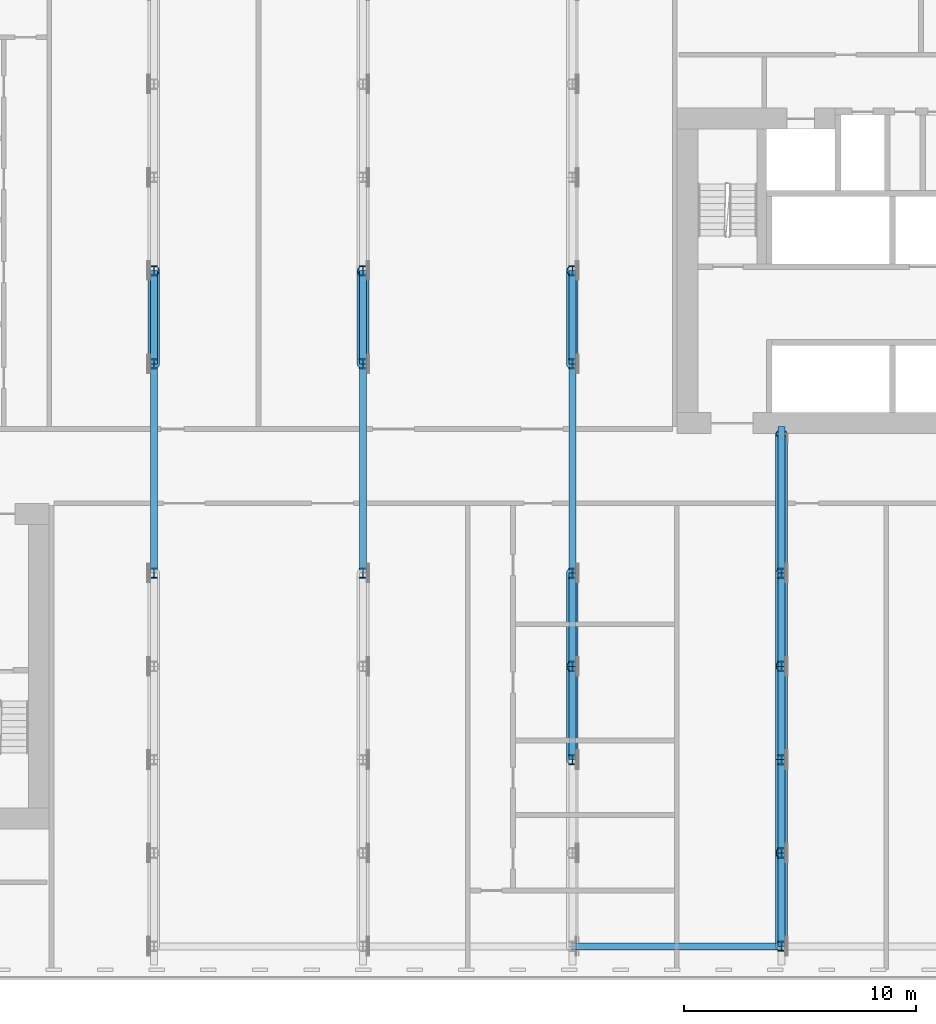
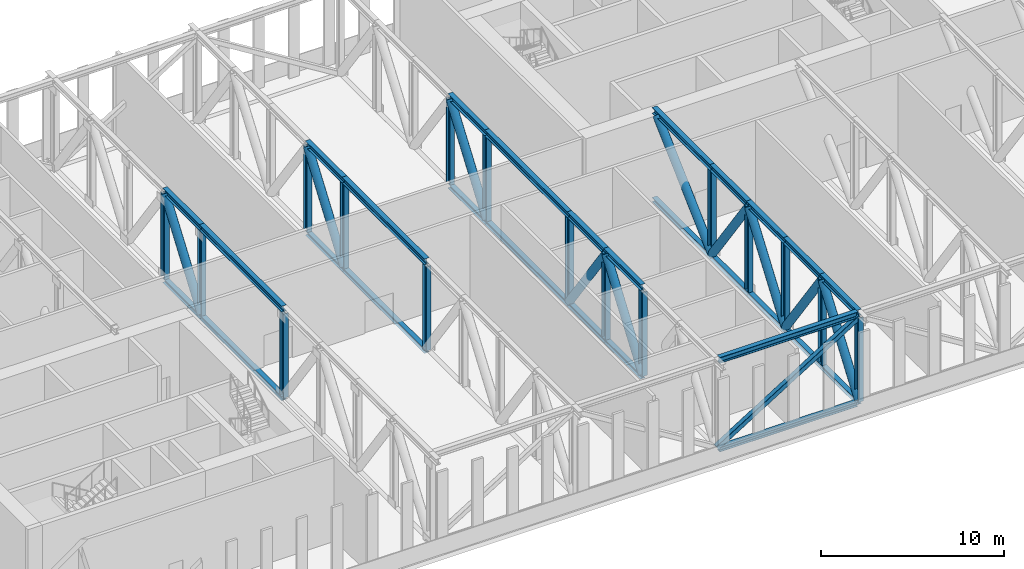
# One storey, part 2 of 26: 55 members.
"""IFC4 building model written with IfcOpenShell, lengths in metres."""

from ifc_helpers import new_model, si_unit, direction, frame, origin, origin_2d, place, context, subcontext, project, spatial, hollow_rectangle, hollow_circle, i_section, extrude, material, material_profile, profile_set, type_object, element, save


model = new_model("IFC4")

# Units and contexts
model_context = context("Model", 3, precision=1e-05, world=origin(), true_north=direction((0.0, 1.0)))
body_context = subcontext(model_context, "Body", "Model", "MODEL_VIEW")
ifc_project = project(units=[si_unit("LENGTHUNIT", "METRE"), si_unit("AREAUNIT", "SQUARE_METRE"), si_unit("VOLUMEUNIT", "CUBIC_METRE"), si_unit("PLANEANGLEUNIT", "RADIAN"), si_unit("MASSUNIT", "GRAM", prefix="KILO")], contexts=[model_context])

# Site, building, storey
site_placement = place(None, origin())
site = spatial("IfcSite", under=ifc_project, at=site_placement, CompositionType="ELEMENT")
building_placement = place(site_placement, origin())
building = spatial("IfcBuilding", under=site, at=building_placement, Name="Kajstack Hotel Tower", CompositionType="ELEMENT")
storey_placement = place(building_placement, frame((0.0, 0.0, 47.0)))
storey = spatial("IfcBuildingStorey", under=building, at=storey_placement, Name="L07", CompositionType="ELEMENT", Elevation=47.0)

# Members
ifc_material = material(Name="Steel S355J2", Category="steel")
ifc_material_profile_1 = material_profile(ifc_material, i_section(OverallWidth=0.300048828125, OverallDepth=0.300048828125, WebThickness=0.010986328125, FlangeThickness=0.01904296875, FilletRadius=0.027099609375, at=origin_2d()), Name="HEB 300")
ifc_profile_set_1 = profile_set([ifc_material_profile_1], Name="Steel S355J2")
member_type_1 = type_object("IfcMemberType", Name="Belt truss bottom chord BB1 HEB 300", PredefinedType="CHORD", material=ifc_profile_set_1)
member_1_placement = place(storey_placement, frame((9.14990234375, -20.550048828125, -0.14990234375), z_axis=(1.0, 0.0, 0.0), x_axis=(0.0, 1.0, 0.0)))
element("IfcMember", 1, at=member_1_placement, inside=storey, type_object=member_type_1, Name="S-belt-truss-L07-s07-b", PredefinedType="CHORD", context=body_context, shape_type="SweptSolid", body=[
    extrude(i_section(OverallWidth=0.300048828125, OverallDepth=0.300048828125, WebThickness=0.010986328125, FlangeThickness=0.01904296875, FilletRadius=0.027099609375, at=origin_2d()), origin(), (0.0, 0.0, 1.0), 8.7001953125),
])
ifc_material_profile_2 = material_profile(ifc_material, hollow_rectangle(XDim=0.300048828125, YDim=0.300048828125, WallThickness=0.01611328125, InnerFilletRadius=0.01611328125, OuterFilletRadius=0.02392578125, at=origin_2d()), Name="SHS 300x300x16")
ifc_profile_set_2 = profile_set([ifc_material_profile_2], Name="Steel S355J2")
member_type_2 = type_object("IfcMemberType", Name="Belt truss diagonal BD1 SHS 300x300x16", PredefinedType="BRACE", material=ifc_profile_set_2)
member_2_placement = place(storey_placement, frame((9.0, -20.550048828125, 0.0), z_axis=(0.849052471267, 0.0, 0.528308528264), x_axis=(0.0, 1.0, 0.0)))
element("IfcMember", 2, at=member_2_placement, inside=storey, type_object=member_type_2, Name="S-belt-truss-L07-s07-d", PredefinedType="BRACE", context=body_context, shape_type="SweptSolid", body=[
    extrude(hollow_rectangle(XDim=0.300048828125, YDim=0.300048828125, WallThickness=0.01611328125, InnerFilletRadius=0.01611328125, OuterFilletRadius=0.02392578125, at=origin_2d()), origin(), (0.0, 0.0, 1.0), 10.60009765625),
])
ifc_material_profile_3 = material_profile(ifc_material, i_section(OverallWidth=0.300048828125, OverallDepth=0.39990234375, WebThickness=0.013427734375, FlangeThickness=0.02392578125, FilletRadius=0.027099609375, at=origin_2d()), Name="HEB 400")
ifc_profile_set_3 = profile_set([ifc_material_profile_3], Name="Steel S355J2")
member_type_3 = type_object("IfcMemberType", Name="Belt truss top chord BT1 HEB 400", PredefinedType="CHORD", material=ifc_profile_set_3)
member_3_placement = place(storey_placement, frame((9.14990234375, -20.550048828125, 5.800048828125), z_axis=(1.0, 0.0, 0.0), x_axis=(0.0, 1.0, 0.0)))
element("IfcMember", 3, at=member_3_placement, inside=storey, type_object=member_type_3, Name="S-belt-truss-L07-s07-t", PredefinedType="CHORD", context=body_context, shape_type="SweptSolid", body=[
    extrude(i_section(OverallWidth=0.300048828125, OverallDepth=0.39990234375, WebThickness=0.013427734375, FlangeThickness=0.02392578125, FilletRadius=0.027099609375, at=origin_2d()), origin(), (0.0, 0.0, 1.0), 8.7001953125),
])
ifc_material_profile_4 = material_profile(ifc_material, i_section(OverallWidth=0.300048828125, OverallDepth=0.300048828125, WebThickness=0.010986328125, FlangeThickness=0.01904296875, FilletRadius=0.027099609375, at=origin_2d()), Name="HEB 300")
ifc_profile_set_4 = profile_set([ifc_material_profile_4], Name="Steel S355J2")
member_type_4 = type_object("IfcMemberType", Name="Transfer truss bottom chord BC1 HEB 300", PredefinedType="CHORD", material=ifc_profile_set_4)
member_4_placement = place(storey_placement, frame((-9.0, -4.5, -0.14990234375), z_axis=(0.0, 1.0, 0.0), x_axis=(-1.0, 0.0, 0.0)))
element("IfcMember", 4, at=member_4_placement, inside=storey, type_object=member_type_4, Name="S-transfer-truss-L07--9p0-1-bc16", PredefinedType="CHORD", context=body_context, shape_type="SweptSolid", body=[
    extrude(i_section(OverallWidth=0.300048828125, OverallDepth=0.300048828125, WebThickness=0.010986328125, FlangeThickness=0.01904296875, FilletRadius=0.027099609375, at=origin_2d()), origin(), (0.0, 0.0, 1.0), 9.0),
])
member_5_placement = place(storey_placement, frame((-9.0, 4.5, -0.14990234375), z_axis=(0.0, 1.0, 0.0), x_axis=(-1.0, 0.0, 0.0)))
element("IfcMember", 5, at=member_5_placement, inside=storey, type_object=member_type_4, Name="S-transfer-truss-L07--9p0-1-bc17", PredefinedType="CHORD", context=body_context, shape_type="SweptSolid", body=[
    extrude(i_section(OverallWidth=0.300048828125, OverallDepth=0.300048828125, WebThickness=0.010986328125, FlangeThickness=0.01904296875, FilletRadius=0.027099609375, at=origin_2d()), origin(), (0.0, 0.0, 1.0), 4.012451171875),
])
member_6_placement = place(storey_placement, frame((0.0, -4.5, -0.14990234375), z_axis=(0.0, 1.0, 0.0), x_axis=(-1.0, 0.0, 0.0)))
element("IfcMember", 6, at=member_6_placement, inside=storey, type_object=member_type_4, Name="S-transfer-truss-L07-+0p0-1-bc16", PredefinedType="CHORD", context=body_context, shape_type="SweptSolid", body=[
    extrude(i_section(OverallWidth=0.300048828125, OverallDepth=0.300048828125, WebThickness=0.010986328125, FlangeThickness=0.01904296875, FilletRadius=0.027099609375, at=origin_2d()), origin(), (0.0, 0.0, 1.0), 9.0),
])
for number, where, z_axis, x_axis, name in (
    (7, (0.0, 4.5, -0.14990234375), (0.0, 1.0, 0.0), (-1.0, 0.0, 0.0), "S-transfer-truss-L07-+0p0-1-bc17"),
    (8, (9.0, -12.52490234375, -0.14990234375), (0.0, 1.0, 0.0), (-1.0, 0.0, 0.0), "S-transfer-truss-L07-+9p0-1-bc14"),
    (9, (9.0, -8.512451171875, -0.14990234375), (0.0, 1.0, 0.0), (-1.0, 0.0, 0.0), "S-transfer-truss-L07-+9p0-1-bc15"),
):
    element("IfcMember", number, at=place(storey_placement, frame(where, z_axis=z_axis, x_axis=x_axis)), inside=storey, type_object=member_type_4, Name=name, PredefinedType="CHORD", context=body_context, shape_type="SweptSolid", body=[
        extrude(i_section(OverallWidth=0.300048828125, OverallDepth=0.300048828125, WebThickness=0.010986328125, FlangeThickness=0.01904296875, FilletRadius=0.027099609375, at=origin_2d()), origin(), (0.0, 0.0, 1.0), 4.012451171875),
    ])
member_7_placement = place(storey_placement, frame((9.0, -4.5, -0.14990234375), z_axis=(0.0, 1.0, 0.0), x_axis=(-1.0, 0.0, 0.0)))
element("IfcMember", 10, at=member_7_placement, inside=storey, type_object=member_type_4, Name="S-transfer-truss-L07-+9p0-1-bc16", PredefinedType="CHORD", context=body_context, shape_type="SweptSolid", body=[
    extrude(i_section(OverallWidth=0.300048828125, OverallDepth=0.300048828125, WebThickness=0.010986328125, FlangeThickness=0.01904296875, FilletRadius=0.027099609375, at=origin_2d()), origin(), (0.0, 0.0, 1.0), 9.0),
])
for number, where, z_axis, x_axis, name in (
    (11, (9.0, 4.5, -0.14990234375), (0.0, 1.0, 0.0), (-1.0, 0.0, 0.0), "S-transfer-truss-L07-+9p0-1-bc17"),
    (12, (18.0, -20.550048828125, -0.14990234375), (0.0, 1.0, 0.0), (-1.0, 0.0, 0.0), "S-outrigger-truss-L07-+18p0-1-bc7"),
):
    element("IfcMember", number, at=place(storey_placement, frame(where, z_axis=z_axis, x_axis=x_axis)), inside=storey, type_object=member_type_4, Name=name, PredefinedType="CHORD", context=body_context, shape_type="SweptSolid", body=[
        extrude(i_section(OverallWidth=0.300048828125, OverallDepth=0.300048828125, WebThickness=0.010986328125, FlangeThickness=0.01904296875, FilletRadius=0.027099609375, at=origin_2d()), origin(), (0.0, 0.0, 1.0), 4.012451171875),
    ])
member_8_placement = place(storey_placement, frame((18.0, -16.53759765625, -0.14990234375), z_axis=(0.0, 1.0, 0.0), x_axis=(-1.0, 0.0, 0.0)))
element("IfcMember", 13, at=member_8_placement, inside=storey, type_object=member_type_4, Name="S-outrigger-truss-L07-+18p0-1-bc8", PredefinedType="CHORD", context=body_context, shape_type="SweptSolid", body=[
    extrude(i_section(OverallWidth=0.300048828125, OverallDepth=0.300048828125, WebThickness=0.010986328125, FlangeThickness=0.01904296875, FilletRadius=0.027099609375, at=origin_2d()), origin(), (0.0, 0.0, 1.0), 4.0126953125),
])
for number, where, z_axis, x_axis, name in (
    (14, (18.0, -12.52490234375, -0.14990234375), (0.0, 1.0, 0.0), (-1.0, 0.0, 0.0), "S-outrigger-truss-L07-+18p0-1-bc9"),
    (15, (18.0, -8.512451171875, -0.14990234375), (0.0, 1.0, 0.0), (-1.0, 0.0, 0.0), "S-outrigger-truss-L07-+18p0-1-bc10"),
):
    element("IfcMember", number, at=place(storey_placement, frame(where, z_axis=z_axis, x_axis=x_axis)), inside=storey, type_object=member_type_4, Name=name, PredefinedType="CHORD", context=body_context, shape_type="SweptSolid", body=[
        extrude(i_section(OverallWidth=0.300048828125, OverallDepth=0.300048828125, WebThickness=0.010986328125, FlangeThickness=0.01904296875, FilletRadius=0.027099609375, at=origin_2d()), origin(), (0.0, 0.0, 1.0), 4.012451171875),
    ])
member_9_placement = place(storey_placement, frame((18.0, -4.5, -0.14990234375), z_axis=(0.0, 1.0, 0.0), x_axis=(-1.0, 0.0, 0.0)))
element("IfcMember", 16, at=member_9_placement, inside=storey, type_object=member_type_4, Name="S-outrigger-truss-L07-+18p0-1-bc11", PredefinedType="CHORD", context=body_context, shape_type="SweptSolid", body=[
    extrude(i_section(OverallWidth=0.300048828125, OverallDepth=0.300048828125, WebThickness=0.010986328125, FlangeThickness=0.01904296875, FilletRadius=0.027099609375, at=origin_2d()), origin(), (0.0, 0.0, 1.0), 6.300048828125),
])
ifc_material_profile_5 = material_profile(ifc_material, hollow_circle(Radius=0.25390625, WallThickness=0.02490234375, at=origin_2d()), Name="CHS 508x25")
ifc_profile_set_5 = profile_set([ifc_material_profile_5], Name="Steel S355J2")
member_type_5 = type_object("IfcMemberType", Name="Transfer truss diagonal DG1 CHS 508x25", PredefinedType="BRACE", material=ifc_profile_set_5)
for number, where, z_axis, x_axis, name in (
    (17, (-9.0, 4.5, 0.0), (0.0, 0.582427626866, 0.812882561914), (-1.0, 0.0, 0.0), "S-transfer-truss-L07--9p0-1-dg35"),
    (18, (0.0, 4.5, 0.0), (0.0, 0.582427626866, 0.812882561914), (-1.0, 0.0, 0.0), "S-transfer-truss-L07-+0p0-1-dg35"),
    (19, (9.0, -12.52490234375, 0.0), (0.0, 0.582427626866, 0.812882561914), (-1.0, 0.0, 0.0), "S-transfer-truss-L07-+9p0-1-dg33"),
    (20, (9.0, -4.5, 0.0), (0.0, -0.582427626866, 0.812882561914), (1.0, 0.0, 0.0), "S-transfer-truss-L07-+9p0-1-dg34"),
    (21, (9.0, 4.5, 0.0), (0.0, 0.582427626866, 0.812882561914), (-1.0, 0.0, 0.0), "S-transfer-truss-L07-+9p0-1-dg35"),
    (22, (18.0, -20.550048828125, 0.0), (0.0, 0.582427626866, 0.812882561914), (-1.0, 0.0, 0.0), "S-outrigger-truss-L07-+18p0-1-dg17"),
):
    element("IfcMember", number, at=place(storey_placement, frame(where, z_axis=z_axis, x_axis=x_axis)), inside=storey, type_object=member_type_5, Name=name, PredefinedType="BRACE", context=body_context, shape_type="SweptSolid", body=[
        extrude(hollow_circle(Radius=0.25390625, WallThickness=0.02490234375, at=origin_2d()), origin(), (0.0, 0.0, 1.0), 6.88916015625),
    ])
member_10_placement = place(storey_placement, frame((18.0, -12.52490234375, 0.0), z_axis=(0.0, -0.582451042959, 0.812865783851), x_axis=(1.0, 0.0, 0.0)))
element("IfcMember", 23, at=member_10_placement, inside=storey, type_object=member_type_5, Name="S-outrigger-truss-L07-+18p0-1-dg18", PredefinedType="BRACE", context=body_context, shape_type="SweptSolid", body=[
    extrude(hollow_circle(Radius=0.25390625, WallThickness=0.02490234375, at=origin_2d()), origin(), (0.0, 0.0, 1.0), 6.889404296875),
])
for number, where, z_axis, x_axis, name in (
    (24, (18.0, -12.52490234375, 0.0), (0.0, 0.582427626866, 0.812882561914), (-1.0, 0.0, 0.0), "S-outrigger-truss-L07-+18p0-1-dg19"),
    (25, (18.0, -4.5, 0.0), (0.0, -0.582427626866, 0.812882561914), (1.0, 0.0, 0.0), "S-outrigger-truss-L07-+18p0-1-dg20"),
):
    element("IfcMember", number, at=place(storey_placement, frame(where, z_axis=z_axis, x_axis=x_axis)), inside=storey, type_object=member_type_5, Name=name, PredefinedType="BRACE", context=body_context, shape_type="SweptSolid", body=[
        extrude(hollow_circle(Radius=0.25390625, WallThickness=0.02490234375, at=origin_2d()), origin(), (0.0, 0.0, 1.0), 6.88916015625),
    ])
member_11_placement = place(storey_placement, frame((18.0, -4.5, 0.0), z_axis=(0.0, 0.731049333052, 0.682324609438), x_axis=(-1.0, 0.0, 0.0)))
element("IfcMember", 26, at=member_11_placement, inside=storey, type_object=member_type_5, Name="S-outrigger-truss-L07-+18p0-1-dg21", PredefinedType="BRACE", context=body_context, shape_type="SweptSolid", body=[
    extrude(hollow_circle(Radius=0.25390625, WallThickness=0.02490234375, at=origin_2d()), origin(), (0.0, 0.0, 1.0), 8.207275390625),
])
ifc_material_profile_6 = material_profile(ifc_material, i_section(OverallWidth=0.306884765625, OverallDepth=0.431884765625, WebThickness=0.02099609375, FlangeThickness=0.0400390625, FilletRadius=0.027099609375, at=origin_2d()), Name="HEM 400")
ifc_profile_set_6 = profile_set([ifc_material_profile_6], Name="Steel S355J2")
member_type_6 = type_object("IfcMemberType", Name="Transfer truss post PO1 HEM 400", PredefinedType="POST", material=ifc_profile_set_6)
for number, where, z_axis, x_axis, name in (
    (27, (-9.0, -4.5, 0.0), (0.0, 0.0, 1.0), (1.0, 0.0, 0.0), "S-transfer-truss-L07--9p0-1-po25"),
    (28, (-9.0, 4.5, 0.0), (0.0, 0.0, 1.0), (1.0, 0.0, 0.0), "S-transfer-truss-L07--9p0-1-po26"),
    (29, (-9.0, 8.512451171875, 0.0), (0.0, 0.0, 1.0), (1.0, 0.0, 0.0), "S-transfer-truss-L07--9p0-1-po27"),
    (30, (0.0, -4.5, 0.0), (0.0, 0.0, 1.0), (1.0, 0.0, 0.0), "S-transfer-truss-L07-+0p0-1-po25"),
    (31, (0.0, 4.5, 0.0), (0.0, 0.0, 1.0), (1.0, 0.0, 0.0), "S-transfer-truss-L07-+0p0-1-po26"),
    (32, (0.0, 8.512451171875, 0.0), (0.0, 0.0, 1.0), (1.0, 0.0, 0.0), "S-transfer-truss-L07-+0p0-1-po27"),
    (33, (9.0, -12.52490234375, 0.0), (0.0, 0.0, 1.0), (1.0, 0.0, 0.0), "S-transfer-truss-L07-+9p0-1-po23"),
    (34, (9.0, -8.512451171875, 0.0), (0.0, 0.0, 1.0), (1.0, 0.0, 0.0), "S-transfer-truss-L07-+9p0-1-po24"),
    (35, (9.0, -4.5, 0.0), (0.0, 0.0, 1.0), (1.0, 0.0, 0.0), "S-transfer-truss-L07-+9p0-1-po25"),
    (36, (9.0, 4.5, 0.0), (0.0, 0.0, 1.0), (1.0, 0.0, 0.0), "S-transfer-truss-L07-+9p0-1-po26"),
    (37, (9.0, 8.512451171875, 0.0), (0.0, 0.0, 1.0), (1.0, 0.0, 0.0), "S-transfer-truss-L07-+9p0-1-po27"),
    (38, (18.0, -20.550048828125, 0.0), (0.0, 0.0, 1.0), (1.0, 0.0, 0.0), "S-outrigger-truss-L07-+18p0-1-po12"),
    (39, (18.0, -16.53759765625, 0.0), (0.0, 0.0, 1.0), (1.0, 0.0, 0.0), "S-outrigger-truss-L07-+18p0-1-po13"),
    (40, (18.0, -12.52490234375, 0.0), (0.0, 0.0, 1.0), (1.0, 0.0, 0.0), "S-outrigger-truss-L07-+18p0-1-po14"),
    (41, (18.0, -8.512451171875, 0.0), (0.0, 0.0, 1.0), (1.0, 0.0, 0.0), "S-outrigger-truss-L07-+18p0-1-po15"),
    (42, (18.0, -4.5, 0.0), (0.0, 0.0, 1.0), (1.0, 0.0, 0.0), "S-outrigger-truss-L07-+18p0-1-po16"),
):
    element("IfcMember", number, at=place(storey_placement, frame(where, z_axis=z_axis, x_axis=x_axis)), inside=storey, type_object=member_type_6, Name=name, PredefinedType="POST", context=body_context, shape_type="SweptSolid", body=[
        extrude(i_section(OverallWidth=0.306884765625, OverallDepth=0.431884765625, WebThickness=0.02099609375, FlangeThickness=0.0400390625, FilletRadius=0.027099609375, at=origin_2d()), origin(), (0.0, 0.0, 1.0), 5.60009765625),
    ])
ifc_material_profile_7 = material_profile(ifc_material, i_section(OverallWidth=0.300048828125, OverallDepth=0.39990234375, WebThickness=0.013427734375, FlangeThickness=0.02392578125, FilletRadius=0.027099609375, at=origin_2d()), Name="HEB 400")
ifc_profile_set_7 = profile_set([ifc_material_profile_7], Name="Steel S355J2")
member_type_7 = type_object("IfcMemberType", Name="Transfer truss top chord TC1 HEB 400", PredefinedType="CHORD", material=ifc_profile_set_7)
member_12_placement = place(storey_placement, frame((-9.0, -4.5, 5.800048828125), z_axis=(0.0, 1.0, 0.0), x_axis=(-1.0, 0.0, 0.0)))
element("IfcMember", 43, at=member_12_placement, inside=storey, type_object=member_type_7, Name="S-transfer-truss-L07--9p0-1-tc6", PredefinedType="CHORD", context=body_context, shape_type="SweptSolid", body=[
    extrude(i_section(OverallWidth=0.300048828125, OverallDepth=0.39990234375, WebThickness=0.013427734375, FlangeThickness=0.02392578125, FilletRadius=0.027099609375, at=origin_2d()), origin(), (0.0, 0.0, 1.0), 9.0),
])
member_13_placement = place(storey_placement, frame((-9.0, 4.5, 5.800048828125), z_axis=(0.0, 1.0, 0.0), x_axis=(-1.0, 0.0, 0.0)))
element("IfcMember", 44, at=member_13_placement, inside=storey, type_object=member_type_7, Name="S-transfer-truss-L07--9p0-1-tc7", PredefinedType="CHORD", context=body_context, shape_type="SweptSolid", body=[
    extrude(i_section(OverallWidth=0.300048828125, OverallDepth=0.39990234375, WebThickness=0.013427734375, FlangeThickness=0.02392578125, FilletRadius=0.027099609375, at=origin_2d()), origin(), (0.0, 0.0, 1.0), 4.012451171875),
])
member_14_placement = place(storey_placement, frame((0.0, -4.5, 5.800048828125), z_axis=(0.0, 1.0, 0.0), x_axis=(-1.0, 0.0, 0.0)))
element("IfcMember", 45, at=member_14_placement, inside=storey, type_object=member_type_7, Name="S-transfer-truss-L07-+0p0-1-tc6", PredefinedType="CHORD", context=body_context, shape_type="SweptSolid", body=[
    extrude(i_section(OverallWidth=0.300048828125, OverallDepth=0.39990234375, WebThickness=0.013427734375, FlangeThickness=0.02392578125, FilletRadius=0.027099609375, at=origin_2d()), origin(), (0.0, 0.0, 1.0), 9.0),
])
for number, where, z_axis, x_axis, name in (
    (46, (0.0, 4.5, 5.800048828125), (0.0, 1.0, 0.0), (-1.0, 0.0, 0.0), "S-transfer-truss-L07-+0p0-1-tc7"),
    (47, (9.0, -12.52490234375, 5.800048828125), (0.0, 1.0, 0.0), (-1.0, 0.0, 0.0), "S-transfer-truss-L07-+9p0-1-tc4"),
    (48, (9.0, -8.512451171875, 5.800048828125), (0.0, 1.0, 0.0), (-1.0, 0.0, 0.0), "S-transfer-truss-L07-+9p0-1-tc5"),
):
    element("IfcMember", number, at=place(storey_placement, frame(where, z_axis=z_axis, x_axis=x_axis)), inside=storey, type_object=member_type_7, Name=name, PredefinedType="CHORD", context=body_context, shape_type="SweptSolid", body=[
        extrude(i_section(OverallWidth=0.300048828125, OverallDepth=0.39990234375, WebThickness=0.013427734375, FlangeThickness=0.02392578125, FilletRadius=0.027099609375, at=origin_2d()), origin(), (0.0, 0.0, 1.0), 4.012451171875),
    ])
member_15_placement = place(storey_placement, frame((9.0, -4.5, 5.800048828125), z_axis=(0.0, 1.0, 0.0), x_axis=(-1.0, 0.0, 0.0)))
element("IfcMember", 49, at=member_15_placement, inside=storey, type_object=member_type_7, Name="S-transfer-truss-L07-+9p0-1-tc6", PredefinedType="CHORD", context=body_context, shape_type="SweptSolid", body=[
    extrude(i_section(OverallWidth=0.300048828125, OverallDepth=0.39990234375, WebThickness=0.013427734375, FlangeThickness=0.02392578125, FilletRadius=0.027099609375, at=origin_2d()), origin(), (0.0, 0.0, 1.0), 9.0),
])
for number, where, z_axis, x_axis, name in (
    (50, (9.0, 4.5, 5.800048828125), (0.0, 1.0, 0.0), (-1.0, 0.0, 0.0), "S-transfer-truss-L07-+9p0-1-tc7"),
    (51, (18.0, -20.550048828125, 5.800048828125), (0.0, 1.0, 0.0), (-1.0, 0.0, 0.0), "S-outrigger-truss-L07-+18p0-1-tc2"),
):
    element("IfcMember", number, at=place(storey_placement, frame(where, z_axis=z_axis, x_axis=x_axis)), inside=storey, type_object=member_type_7, Name=name, PredefinedType="CHORD", context=body_context, shape_type="SweptSolid", body=[
        extrude(i_section(OverallWidth=0.300048828125, OverallDepth=0.39990234375, WebThickness=0.013427734375, FlangeThickness=0.02392578125, FilletRadius=0.027099609375, at=origin_2d()), origin(), (0.0, 0.0, 1.0), 4.012451171875),
    ])
member_16_placement = place(storey_placement, frame((18.0, -16.53759765625, 5.800048828125), z_axis=(0.0, 1.0, 0.0), x_axis=(-1.0, 0.0, 0.0)))
element("IfcMember", 52, at=member_16_placement, inside=storey, type_object=member_type_7, Name="S-outrigger-truss-L07-+18p0-1-tc3", PredefinedType="CHORD", context=body_context, shape_type="SweptSolid", body=[
    extrude(i_section(OverallWidth=0.300048828125, OverallDepth=0.39990234375, WebThickness=0.013427734375, FlangeThickness=0.02392578125, FilletRadius=0.027099609375, at=origin_2d()), origin(), (0.0, 0.0, 1.0), 4.0126953125),
])
for number, where, z_axis, x_axis, name in (
    (53, (18.0, -12.52490234375, 5.800048828125), (0.0, 1.0, 0.0), (-1.0, 0.0, 0.0), "S-outrigger-truss-L07-+18p0-1-tc4"),
    (54, (18.0, -8.512451171875, 5.800048828125), (0.0, 1.0, 0.0), (-1.0, 0.0, 0.0), "S-outrigger-truss-L07-+18p0-1-tc5"),
):
    element("IfcMember", number, at=place(storey_placement, frame(where, z_axis=z_axis, x_axis=x_axis)), inside=storey, type_object=member_type_7, Name=name, PredefinedType="CHORD", context=body_context, shape_type="SweptSolid", body=[
        extrude(i_section(OverallWidth=0.300048828125, OverallDepth=0.39990234375, WebThickness=0.013427734375, FlangeThickness=0.02392578125, FilletRadius=0.027099609375, at=origin_2d()), origin(), (0.0, 0.0, 1.0), 4.012451171875),
    ])
member_17_placement = place(storey_placement, frame((18.0, -4.5, 5.800048828125), z_axis=(0.0, 1.0, 0.0), x_axis=(-1.0, 0.0, 0.0)))
element("IfcMember", 55, at=member_17_placement, inside=storey, type_object=member_type_7, Name="S-outrigger-truss-L07-+18p0-1-tc6", PredefinedType="CHORD", context=body_context, shape_type="SweptSolid", body=[
    extrude(i_section(OverallWidth=0.300048828125, OverallDepth=0.39990234375, WebThickness=0.013427734375, FlangeThickness=0.02392578125, FilletRadius=0.027099609375, at=origin_2d()), origin(), (0.0, 0.0, 1.0), 6.300048828125),
])

save(model, "model.ifc")
